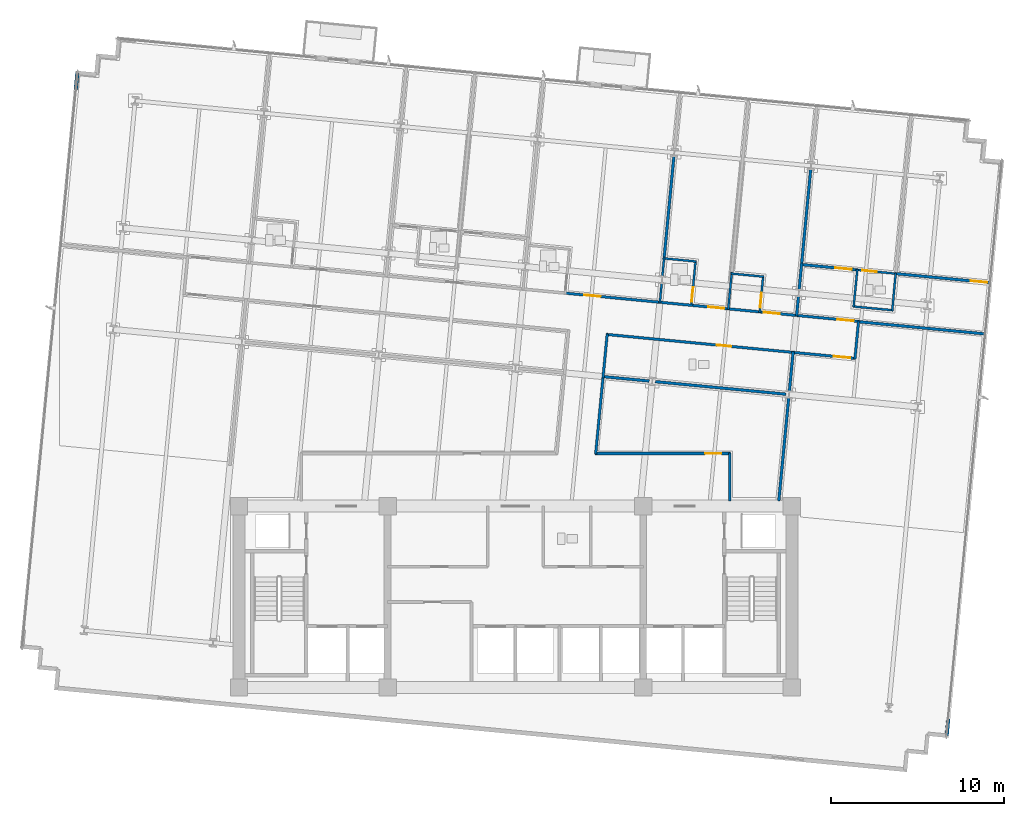
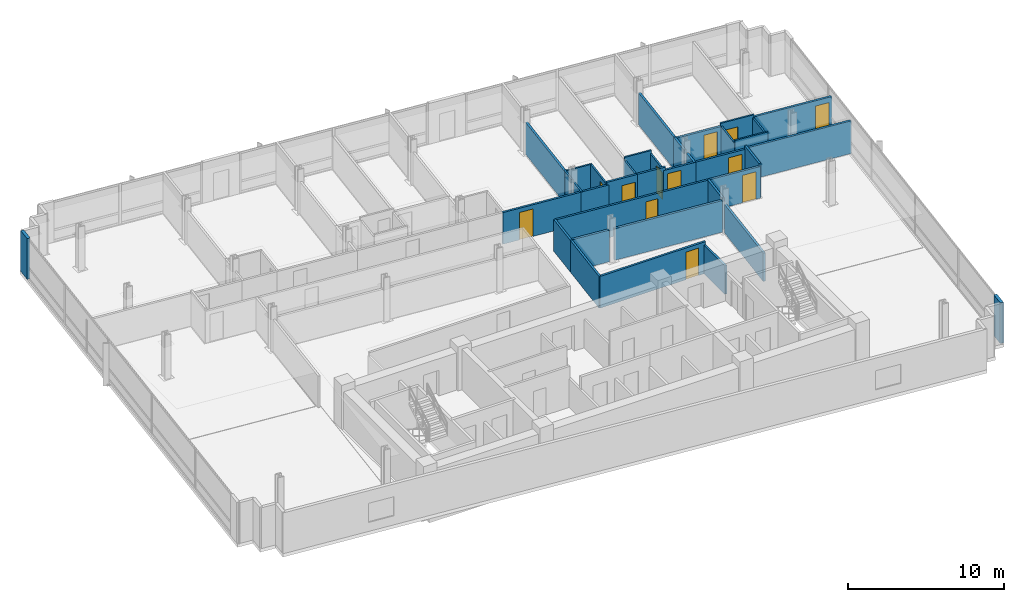
# One storey, part 12 of 17: 37 walls, 12 doors, 12 openings.
"""IFC4 building model written with IfcOpenShell, lengths in metres."""

from ifc_helpers import new_model, si_unit, direction, frame, frame_2d, origin, place, context, subcontext, project, spatial, rectangle, extrude, material, layer, layer_set, type_object, element, fill, save


model = new_model("IFC4")

# Units and contexts
model_context = context("Model", 3, precision=1e-05, world=origin(), true_north=direction((0.0, 1.0)))
body_context = subcontext(model_context, "Body", "Model", "MODEL_VIEW")
ifc_project = project(units=[si_unit("LENGTHUNIT", "METRE"), si_unit("AREAUNIT", "SQUARE_METRE"), si_unit("VOLUMEUNIT", "CUBIC_METRE"), si_unit("PLANEANGLEUNIT", "RADIAN"), si_unit("MASSUNIT", "GRAM", prefix="KILO")], contexts=[model_context])

# Site, building, storey
site_placement = place(None, origin())
site = spatial("IfcSite", under=ifc_project, at=site_placement, CompositionType="ELEMENT")
building_placement = place(site_placement, origin())
building = spatial("IfcBuilding", under=site, at=building_placement, Name="Solmavex Isthmus Hotel", CompositionType="ELEMENT")
storey_placement = place(building_placement, frame((0.0, 0.0, 139.35009765625)))
storey = spatial("IfcBuildingStorey", under=building, at=storey_placement, Name="L37", CompositionType="ELEMENT", Elevation=139.35009765625)

# Walls
ifc_material_1 = material(Name="Precast Concrete C40/50", Category="concrete")
ifc_layer_1 = layer(ifc_material_1, 0.25)
ifc_layer_set_1 = layer_set([ifc_layer_1], Name="Precast Concrete C40/50")
wall_type_1 = type_object("IfcWallType", Name="EW-TWR-250", PredefinedType="STANDARD", material=ifc_layer_set_1)
wall_1_placement = place(storey_placement, frame((-25.46142578125, 21.60498046875, 0.0), z_axis=(0.0, 0.0, 1.0), x_axis=(0.095937974524, 0.995387314086, 0.0)))
element("IfcWall", 1, at=wall_1_placement, inside=storey, type_object=wall_type_1, Name="Serrated Corner Facade Panel L37-07", PredefinedType="STANDARD", context=body_context, shape_type="SweptSolid", body=[
    extrude(rectangle(XDim=0.989990234375, YDim=0.219970703125, at=frame_2d((0.4951171875, 0.0))), origin(), (0.0, 0.0, 1.0), 3.18994140625),
])
wall_2_placement = place(storey_placement, frame((25.0615234375, -14.804931640625, 0.0), z_axis=(0.0, 0.0, 1.0), x_axis=(-0.095914428506, -0.995389583231, 0.0)))
element("IfcWall", 2, at=wall_2_placement, inside=storey, type_object=wall_type_1, Name="Serrated Corner Facade Panel L37-21", PredefinedType="STANDARD", context=body_context, shape_type="SweptSolid", body=[
    extrude(rectangle(XDim=0.990234375, YDim=0.219970703125, at=frame_2d((0.4951171875, 0.0))), origin(), (0.0, 0.0, 1.0), 3.18994140625),
])
ifc_material_2 = material(Name="Gypsum plasterboard lining", Category="gypsum")
ifc_layer_2 = layer(ifc_material_2, 0.159912109375)
ifc_layer_set_2 = layer_set([ifc_layer_2], Name="Gypsum plasterboard lining")
wall_type_2 = type_object("IfcWallType", Name="IW-COMP-160", PredefinedType="PARTITIONING", material=ifc_layer_set_2)
wall_3_placement = place(storey_placement, frame((9.178466796875, 17.791259765625, 0.0), z_axis=(0.0, 0.0, 1.0), x_axis=(-0.095826863488, -0.995398016993, 0.0)))
element("IfcWall", 3, at=wall_3_placement, inside=storey, type_object=wall_type_2, Name="Interior Partition Wall W-L37-P050", PredefinedType="PARTITIONING", context=body_context, shape_type="SweptSolid", body=[
    extrude(rectangle(XDim=6.055908203125, YDim=0.159912109375, at=frame_2d((3.02783203125, 0.0))), origin(), (0.0, 0.0, 1.0), 2.4794921875),
])
wall_4_placement = place(storey_placement, frame((16.389404296875, 9.6708984375, 0.0), z_axis=(0.0, 0.0, 1.0), x_axis=(-0.095811626391, -0.995399483749, 0.0)))
element("IfcWall", 4, at=wall_4_placement, inside=storey, type_object=wall_type_2, Name="Interior Partition Wall W-L37-P060", PredefinedType="PARTITIONING", context=body_context, shape_type="SweptSolid", body=[
    extrude(rectangle(XDim=1.172119140625, YDim=0.159912109375, at=frame_2d((0.5859375, 0.0))), origin(), (0.0, 0.0, 1.0), 2.4794921875),
])
wall_5_placement = place(storey_placement, frame((16.572265625, 11.570068359375, 0.0), z_axis=(0.0, 0.0, 1.0), x_axis=(-0.095867871334, -0.99539406832, 0.0)))
element("IfcWall", 5, at=wall_5_placement, inside=storey, type_object=wall_type_2, Name="Interior Partition Wall W-L37-P061", PredefinedType="PARTITIONING", context=body_context, shape_type="SweptSolid", body=[
    extrude(rectangle(XDim=1.555908203125, YDim=0.159912109375, at=frame_2d((0.77783203125, 0.0))), origin(), (0.0, 0.0, 1.0), 2.4794921875),
])
wall_6_placement = place(storey_placement, frame((17.097900390625, 17.02880859375, 0.0), z_axis=(0.0, 0.0, 1.0), x_axis=(-0.095831010877, -0.995397617716, 0.0)))
element("IfcWall", 6, at=wall_6_placement, inside=storey, type_object=wall_type_2, Name="Interior Partition Wall W-L37-P062", PredefinedType="PARTITIONING", context=body_context, shape_type="SweptSolid", body=[
    extrude(rectangle(XDim=5.64794921875, YDim=0.159912109375, at=frame_2d((2.823974609375, 0.0))), origin(), (0.0, 0.0, 1.0), 2.4794921875),
])

# Wall, opening, door
wall_7_placement = place(storey_placement, frame((16.524658203125, 11.4921875, 0.0), z_axis=(0.0, 0.0, 1.0), x_axis=(0.995395561935, -0.095852361889, 0.0)))
wall_7 = element("IfcWall", 7, at=wall_7_placement, inside=storey, type_object=wall_type_2, Name="Interior Partition Wall W-L37-P064", PredefinedType="PARTITIONING", context=body_context, shape_type="SweptSolid", body=[
    extrude(rectangle(XDim=3.323974609375, YDim=0.159912109375, at=frame_2d((1.662109375, 0.0))), origin(), (0.0, 0.0, 1.0), 2.4794921875),
])
opening_1_placement = place(wall_7_placement, frame((2.00439453125, 0.0, 0.0)))
opening_1 = element("IfcOpeningElement", 8, at=opening_1_placement, cuts=wall_7, Name="Opening ID-C095", PredefinedType="OPENING", context=body_context, shape_type="SweptSolid", body=[
    extrude(rectangle(XDim=0.949951171875, YDim=2.14990234375, at=frame_2d((0.47509765625, 1.074951171875))), frame((0.0, 0.08984375, 0.0), z_axis=(0.0, -1.0, 0.0), x_axis=(1.0, 0.0, 0.0)), (0.0, 0.0, 1.0), 0.179931640625),
])
ifc_material_3 = material(Name="Hardwood timber", Category="wood")
door_type_1 = type_object("IfcDoorType", Name="IDR-FD60-0950", OperationType="NOTDEFINED", PredefinedType="DOOR", material=ifc_material_3)
door_1_placement = place(opening_1_placement, origin())
door_1 = element("IfcDoor", 9, at=door_1_placement, inside=storey, type_object=door_type_1, Name="Diplomatic Hospitality Suite Bedroom Door L37-15", OperationType="SINGLE_SWING_LEFT", OverallHeight=2.14990234375, OverallWidth=0.949951171875, PredefinedType="DOOR", context=body_context, shape_type="SweptSolid", body=[
    extrude(rectangle(XDim=0.949951171875, YDim=2.14990234375, at=frame_2d((0.47509765625, 1.074951171875))), frame((0.0, 0.02490234375, 0.0), z_axis=(0.0, -1.0, 0.0), x_axis=(1.0, 0.0, 0.0)), (0.0, 0.0, 1.0), 0.050048828125),
])
fill(opening_1, door_1)

wall_8_placement = place(storey_placement, frame((21.973388671875, 10.967529296875, 0.0), z_axis=(0.0, 0.0, 1.0), x_axis=(0.99539730528, -0.095834256092, 0.0)))
wall_8 = element("IfcWall", 10, at=wall_8_placement, inside=storey, type_object=wall_type_2, Name="Interior Partition Wall W-L37-P065", PredefinedType="PARTITIONING", context=body_context, shape_type="SweptSolid", body=[
    extrude(rectangle(XDim=5.573974609375, YDim=0.159912109375, at=frame_2d((2.787109375, 0.0))), origin(), (0.0, 0.0, 1.0), 2.557373046875),
])
opening_2_placement = place(wall_8_placement, frame((4.4140625, 0.0, 0.0)))
opening_2 = element("IfcOpeningElement", 11, at=opening_2_placement, cuts=wall_8, Name="Opening ID-C095", PredefinedType="OPENING", context=body_context, shape_type="SweptSolid", body=[
    extrude(rectangle(XDim=0.949951171875, YDim=2.14990234375, at=frame_2d((0.47509765625, 1.074951171875))), frame((0.0, 0.08984375, 0.0), z_axis=(0.0, -1.0, 0.0), x_axis=(1.0, 0.0, 0.0)), (0.0, 0.0, 1.0), 0.179931640625),
])
door_2_placement = place(opening_2_placement, origin())
door_2 = element("IfcDoor", 12, at=door_2_placement, inside=storey, type_object=door_type_1, Name="Diplomatic Hospitality Suite Sitting Lounge Door L37-16", OperationType="SINGLE_SWING_RIGHT", OverallHeight=2.14990234375, OverallWidth=0.949951171875, PredefinedType="DOOR", context=body_context, shape_type="SweptSolid", body=[
    extrude(rectangle(XDim=0.949951171875, YDim=2.14990234375, at=frame_2d((0.47509765625, 1.074951171875))), frame((0.0, 0.02490234375, 0.0), z_axis=(0.0, -1.0, 0.0), x_axis=(1.0, 0.0, 0.0)), (0.0, 0.0, 1.0), 0.050048828125),
])
fill(opening_2, door_2)

# Walls
wall_9_placement = place(storey_placement, frame((27.236328125, 7.468994140625, 0.0), z_axis=(0.0, 0.0, 1.0), x_axis=(-0.995396228159, 0.095845443117, 0.0)))
element("IfcWall", 13, at=wall_9_placement, inside=storey, type_object=wall_type_2, Name="Interior Partition Wall W-L37-P069", PredefinedType="PARTITIONING", context=body_context, shape_type="SweptSolid", body=[
    extrude(rectangle(XDim=7.447998046875, YDim=0.159912109375, at=frame_2d((3.72412109375, 0.0))), origin(), (0.0, 0.0, 1.0), 2.557373046875),
])
wall_10_placement = place(storey_placement, frame((7.745361328125, 4.74462890625, 0.0), z_axis=(0.0, 0.0, 1.0), x_axis=(-0.995392910691, 0.095879890208, 0.0)))
element("IfcWall", 14, at=wall_10_placement, inside=storey, type_object=wall_type_2, Name="Interior Partition Wall W-L37-P072", PredefinedType="PARTITIONING", context=body_context, shape_type="SweptSolid", body=[
    extrude(rectangle(XDim=2.721923828125, YDim=0.159912109375, at=frame_2d((1.36083984375, 0.0))), origin(), (0.0, 0.0, 1.0), 2.4794921875),
])
wall_11_placement = place(storey_placement, frame((15.664794921875, 3.982177734375, 0.0), z_axis=(0.0, 0.0, 1.0), x_axis=(-0.995396667246, 0.095840882902, 0.0)))
element("IfcWall", 15, at=wall_11_placement, inside=storey, type_object=wall_type_2, Name="Interior Partition Wall W-L37-P073", PredefinedType="PARTITIONING", context=body_context, shape_type="SweptSolid", body=[
    extrude(rectangle(XDim=7.603759765625, YDim=0.159912109375, at=frame_2d((3.8017578125, 0.0))), origin(), (0.0, 0.0, 1.0), 2.4794921875),
])
wall_12_placement = place(storey_placement, frame((16.07861328125, 6.44384765625, 0.0), z_axis=(0.0, 0.0, 1.0), x_axis=(-0.095794827695, -0.995401100555, 0.0)))
element("IfcWall", 16, at=wall_12_placement, inside=storey, type_object=wall_type_2, Name="Interior Partition Wall W-L37-P074", PredefinedType="PARTITIONING", context=body_context, shape_type="SweptSolid", body=[
    extrude(rectangle(XDim=2.314208984375, YDim=0.159912109375, at=frame_2d((1.1572265625, 0.0))), origin(), (0.0, 0.0, 1.0), 2.4794921875),
])
wall_13_placement = place(storey_placement, frame((15.8232421875, 3.7900390625, 0.0), z_axis=(0.0, 0.0, 1.0), x_axis=(-0.095865726078, -0.99539427493, 0.0)))
element("IfcWall", 17, at=wall_13_placement, inside=storey, type_object=wall_type_2, Name="Interior Partition Wall W-L37-P079", PredefinedType="PARTITIONING", context=body_context, shape_type="SweptSolid", body=[
    extrude(rectangle(XDim=6.007568359375, YDim=0.159912109375, at=frame_2d((3.00390625, 0.0))), origin(), (0.0, 0.0, 1.0), 2.224853515625),
])

# Wall, opening, door
ifc_layer_3 = layer(ifc_material_2, 0.14990234375)
ifc_layer_set_3 = layer_set([ifc_layer_3], Name="Gypsum plasterboard lining")
wall_type_3 = type_object("IfcWallType", Name="IW-CORR-150", PredefinedType="PARTITIONING", material=ifc_layer_set_3)
wall_14_placement = place(storey_placement, frame((2.79931640625, 9.84228515625, 0.0), z_axis=(0.0, 0.0, 1.0), x_axis=(0.995395844771, -0.095849424686, 0.0)))
wall_14 = element("IfcWall", 18, at=wall_14_placement, inside=storey, type_object=wall_type_3, Name="Interior Partition Wall W-L37-P005", PredefinedType="PARTITIONING", context=body_context, shape_type="SweptSolid", body=[
    extrude(rectangle(XDim=5.669921875, YDim=0.14990234375, at=frame_2d((2.8349609375, 0.0))), origin(), (0.0, 0.0, 1.0), 2.4794921875),
])
opening_3_placement = place(wall_14_placement, frame((1.18603515625, 0.0, 0.0)))
opening_3 = element("IfcOpeningElement", 19, at=opening_3_placement, cuts=wall_14, Name="Opening ID-C095", PredefinedType="OPENING", context=body_context, shape_type="SweptSolid", body=[
    extrude(rectangle(XDim=0.949951171875, YDim=2.14990234375, at=frame_2d((0.47509765625, 1.074951171875))), frame((0.0, 0.0849609375, 0.0), z_axis=(0.0, -1.0, 0.0), x_axis=(1.0, 0.0, 0.0)), (0.0, 0.0, 1.0), 0.169921875),
])
door_3_placement = place(opening_3_placement, frame((0.949951171875, 0.0, 0.0), z_axis=(0.0, 0.0, 1.0), x_axis=(-1.0, 0.0, 0.0)))
door_3 = element("IfcDoor", 20, at=door_3_placement, inside=storey, type_object=door_type_1, Name="Diplomatic Suite Door L37-08", OperationType="SINGLE_SWING_RIGHT", OverallHeight=2.14990234375, OverallWidth=0.949951171875, PredefinedType="DOOR", context=body_context, shape_type="SweptSolid", body=[
    extrude(rectangle(XDim=0.949951171875, YDim=2.14990234375, at=frame_2d((0.47509765625, 1.074951171875))), frame((0.0, 0.02490234375, 0.0), z_axis=(0.0, -1.0, 0.0), x_axis=(1.0, 0.0, 0.0)), (0.0, 0.0, 1.0), 0.050048828125),
])
fill(opening_3, door_3)

wall_15_placement = place(storey_placement, frame((10.101318359375, 9.13916015625, 0.0), z_axis=(0.0, 0.0, 1.0), x_axis=(0.995393345625, -0.095875374756, 0.0)))
wall_15 = element("IfcWall", 21, at=wall_15_placement, inside=storey, type_object=wall_type_3, Name="Interior Partition Wall W-L37-P007", PredefinedType="PARTITIONING", context=body_context, shape_type="SweptSolid", body=[
    extrude(rectangle(XDim=2.312255859375, YDim=0.14990234375, at=frame_2d((1.15625, 0.0))), origin(), (0.0, 0.0, 1.0), 2.718017578125),
])
opening_4_placement = place(wall_15_placement, frame((1.05615234375, 0.0, 0.0)))
opening_4 = element("IfcOpeningElement", 22, at=opening_4_placement, cuts=wall_15, Name="Opening ID-C095", PredefinedType="OPENING", context=body_context, shape_type="SweptSolid", body=[
    extrude(rectangle(XDim=0.949951171875, YDim=2.14990234375, at=frame_2d((0.47509765625, 1.074951171875))), frame((0.0, 0.0849609375, 0.0), z_axis=(0.0, -1.0, 0.0), x_axis=(1.0, 0.0, 0.0)), (0.0, 0.0, 1.0), 0.169921875),
])
door_4_placement = place(opening_4_placement, frame((0.949951171875, 0.0, 0.0), z_axis=(0.0, 0.0, 1.0), x_axis=(-1.0, 0.0, 0.0)))
door_4 = element("IfcDoor", 23, at=door_4_placement, inside=storey, type_object=door_type_1, Name="Junior Suite Door L37-10", OperationType="SINGLE_SWING_RIGHT", OverallHeight=2.14990234375, OverallWidth=0.949951171875, PredefinedType="DOOR", context=body_context, shape_type="SweptSolid", body=[
    extrude(rectangle(XDim=0.949951171875, YDim=2.14990234375, at=frame_2d((0.47509765625, 1.074951171875))), frame((0.0, 0.02490234375, 0.0), z_axis=(0.0, -1.0, 0.0), x_axis=(1.0, 0.0, 0.0)), (0.0, 0.0, 1.0), 0.050048828125),
])
fill(opening_4, door_4)

# Wall
wall_16_placement = place(storey_placement, frame((8.280029296875, 9.314453125, 0.0), z_axis=(0.0, 0.0, 1.0), x_axis=(0.995393086543, -0.095878064554, 0.0)))
element("IfcWall", 24, at=wall_16_placement, inside=storey, type_object=wall_type_3, Name="Interior Partition Wall W-L37-P008", PredefinedType="PARTITIONING", context=body_context, shape_type="SweptSolid", body=[
    extrude(rectangle(XDim=1.993896484375, YDim=0.14990234375, at=frame_2d((0.9970703125, 0.0))), origin(), (0.0, 0.0, 1.0), 2.4794921875),
])

# Wall, opening, door
wall_17_placement = place(storey_placement, frame((14.06103515625, 8.7578125, 0.0), z_axis=(0.0, 0.0, 1.0), x_axis=(0.995393345625, -0.095875374756, 0.0)))
wall_17 = element("IfcWall", 25, at=wall_17_placement, inside=storey, type_object=wall_type_3, Name="Interior Partition Wall W-L37-P009", PredefinedType="PARTITIONING", context=body_context, shape_type="SweptSolid", body=[
    extrude(rectangle(XDim=2.312255859375, YDim=0.14990234375, at=frame_2d((1.15625, 0.0))), origin(), (0.0, 0.0, 1.0), 2.4794921875),
])
opening_5_placement = place(wall_17_placement, frame((0.30615234375, 0.0, 0.0)))
opening_5 = element("IfcOpeningElement", 26, at=opening_5_placement, cuts=wall_17, Name="Opening ID-C095", PredefinedType="OPENING", context=body_context, shape_type="SweptSolid", body=[
    extrude(rectangle(XDim=0.949951171875, YDim=2.14990234375, at=frame_2d((0.47509765625, 1.074951171875))), frame((0.0, 0.0849609375, 0.0), z_axis=(0.0, -1.0, 0.0), x_axis=(1.0, 0.0, 0.0)), (0.0, 0.0, 1.0), 0.169921875),
])
door_5_placement = place(opening_5_placement, frame((0.949951171875, 0.0, 0.0), z_axis=(0.0, 0.0, 1.0), x_axis=(-1.0, 0.0, 0.0)))
door_5 = element("IfcDoor", 27, at=door_5_placement, inside=storey, type_object=door_type_1, Name="Deluxe Twin Room Door L37-12", OperationType="SINGLE_SWING_RIGHT", OverallHeight=2.14990234375, OverallWidth=0.949951171875, PredefinedType="DOOR", context=body_context, shape_type="SweptSolid", body=[
    extrude(rectangle(XDim=0.949951171875, YDim=2.14990234375, at=frame_2d((0.47509765625, 1.074951171875))), frame((0.0, 0.02490234375, 0.0), z_axis=(0.0, -1.0, 0.0), x_axis=(1.0, 0.0, 0.0)), (0.0, 0.0, 1.0), 0.050048828125),
])
fill(opening_5, door_5)

# Wall
wall_18_placement = place(storey_placement, frame((12.239501953125, 8.93310546875, 0.0), z_axis=(0.0, 0.0, 1.0), x_axis=(0.995405888026, -0.095745068196, 0.0)))
element("IfcWall", 28, at=wall_18_placement, inside=storey, type_object=wall_type_3, Name="Interior Partition Wall W-L37-P010", PredefinedType="PARTITIONING", context=body_context, shape_type="SweptSolid", body=[
    extrude(rectangle(XDim=1.994140625, YDim=0.14990234375, at=frame_2d((0.9970703125, 0.0))), origin(), (0.0, 0.0, 1.0), 2.718017578125),
])

# Wall, opening, door
wall_19_placement = place(storey_placement, frame((16.19921875, 8.552001953125, 0.0), z_axis=(0.0, 0.0, 1.0), x_axis=(0.995391104887, -0.095898635608, 0.0)))
wall_19 = element("IfcWall", 29, at=wall_19_placement, inside=storey, type_object=wall_type_3, Name="Interior Partition Wall W-L37-P011", PredefinedType="PARTITIONING", context=body_context, shape_type="SweptSolid", body=[
    extrude(rectangle(XDim=3.721923828125, YDim=0.14990234375, at=frame_2d((1.86083984375, 0.0))), origin(), (0.0, 0.0, 1.0), 2.4794921875),
])
opening_6_placement = place(wall_19_placement, frame((2.456787109375, 0.0, 0.0)))
opening_6 = element("IfcOpeningElement", 30, at=opening_6_placement, cuts=wall_19, Name="Opening ID-C095", PredefinedType="OPENING", context=body_context, shape_type="SweptSolid", body=[
    extrude(rectangle(XDim=0.949951171875, YDim=2.14990234375, at=frame_2d((0.47509765625, 1.074951171875))), frame((0.0, 0.0849609375, 0.0), z_axis=(0.0, -1.0, 0.0), x_axis=(1.0, 0.0, 0.0)), (0.0, 0.0, 1.0), 0.169921875),
])
door_6_placement = place(opening_6_placement, frame((0.949951171875, 0.0, 0.0), z_axis=(0.0, 0.0, 1.0), x_axis=(-1.0, 0.0, 0.0)))
door_6 = element("IfcDoor", 31, at=door_6_placement, inside=storey, type_object=door_type_1, Name="Diplomatic Hospitality Suite Reception Foyer Door L37-14", OperationType="SINGLE_SWING_RIGHT", OverallHeight=2.14990234375, OverallWidth=0.949951171875, PredefinedType="DOOR", context=body_context, shape_type="SweptSolid", body=[
    extrude(rectangle(XDim=0.949951171875, YDim=2.14990234375, at=frame_2d((0.47509765625, 1.074951171875))), frame((0.0, 0.02490234375, 0.0), z_axis=(0.0, -1.0, 0.0), x_axis=(1.0, 0.0, 0.0)), (0.0, 0.0, 1.0), 0.050048828125),
])
fill(opening_6, door_6)

wall_20_placement = place(storey_placement, frame((16.156494140625, 6.39599609375, 0.0), z_axis=(0.0, 0.0, 1.0), x_axis=(-0.99539478422, 0.095860437863, 0.0)))
wall_20 = element("IfcWall", 32, at=wall_20_placement, inside=storey, type_object=wall_type_3, Name="Interior Partition Wall W-L37-P012", PredefinedType="PARTITIONING", context=body_context, shape_type="SweptSolid", body=[
    extrude(rectangle(XDim=10.93603515625, YDim=0.14990234375, at=frame_2d((5.468017578125, 0.0))), origin(), (0.0, 0.0, 1.0), 2.4794921875),
])
opening_7_placement = place(wall_20_placement, frame((3.675048828125, 0.0, 0.0)))
opening_7 = element("IfcOpeningElement", 33, at=opening_7_placement, cuts=wall_20, Name="Opening ID-R085", PredefinedType="OPENING", context=body_context, shape_type="SweptSolid", body=[
    extrude(rectangle(XDim=0.85009765625, YDim=2.050048828125, at=frame_2d((0.425048828125, 1.02490234375))), frame((0.0, 0.0849609375, 0.0), z_axis=(0.0, -1.0, 0.0), x_axis=(1.0, 0.0, 0.0)), (0.0, 0.0, 1.0), 0.169921875),
])
ifc_material_4 = material(Name="Steel ASTM A500 Grade C", Category="steel")
door_type_2 = type_object("IfcDoorType", Name="IDR-FD60-0850", OperationType="NOTDEFINED", PredefinedType="DOOR", material=ifc_material_4)
door_7_placement = place(opening_7_placement, frame((0.85009765625, 0.0, 0.0), z_axis=(0.0, 0.0, 1.0), x_axis=(-1.0, 0.0, 0.0)))
door_7 = element("IfcDoor", 34, at=door_7_placement, inside=storey, type_object=door_type_2, Name="Accessible Public Restroom WC Door L37-18", OperationType="SINGLE_SWING_RIGHT", OverallHeight=2.050048828125, OverallWidth=0.85009765625, PredefinedType="DOOR", context=body_context, shape_type="SweptSolid", body=[
    extrude(rectangle(XDim=0.85009765625, YDim=2.050048828125, at=frame_2d((0.425048828125, 1.02490234375))), frame((0.0, 0.02490234375, 0.0), z_axis=(0.0, -1.0, 0.0), x_axis=(1.0, 0.0, 0.0)), (0.0, 0.0, 1.0), 0.050048828125),
])
fill(opening_7, door_7)

# Walls
wall_21_placement = place(storey_placement, frame((5.314453125, 7.480224609375, 0.0), z_axis=(0.0, 0.0, 1.0), x_axis=(-0.09587519517, -0.995393362923, 0.0)))
element("IfcWall", 35, at=wall_21_placement, inside=storey, type_object=wall_type_3, Name="Interior Partition Wall W-L37-P013", PredefinedType="PARTITIONING", context=body_context, shape_type="SweptSolid", body=[
    extrude(rectangle(XDim=2.572021484375, YDim=0.14990234375, at=frame_2d((1.2861328125, 0.0))), origin(), (0.0, 0.0, 1.0), 2.4794921875),
])
wall_22_placement = place(storey_placement, frame((5.083740234375, 5.083251953125, 0.0), z_axis=(0.0, 0.0, 1.0), x_axis=(-0.095867331855, -0.995394120277, 0.0)))
element("IfcWall", 36, at=wall_22_placement, inside=storey, type_object=wall_type_3, Name="Interior Partition Wall W-L37-P016", PredefinedType="PARTITIONING", context=body_context, shape_type="SweptSolid", body=[
    extrude(rectangle(XDim=4.59423828125, YDim=0.14990234375, at=frame_2d((2.297119140625, 0.0))), origin(), (0.0, 0.0, 1.0), 2.4794921875),
])

# Wall, opening, door
wall_23_placement = place(storey_placement, frame((4.607177734375, 0.550048828125, 0.0), z_axis=(0.0, 0.0, 1.0), x_axis=(1.0, 0.0, 0.0)))
wall_23 = element("IfcWall", 37, at=wall_23_placement, inside=storey, type_object=wall_type_3, Name="Interior Partition Wall W-L37-P017", PredefinedType="PARTITIONING", context=body_context, shape_type="SweptSolid", body=[
    extrude(rectangle(XDim=7.832763671875, YDim=0.14990234375, at=frame_2d((3.91650390625, 0.0))), origin(), (0.0, 0.0, 1.0), 2.4794921875),
])
opening_8_placement = place(wall_23_placement, frame((6.3720703125, 0.0, 0.0)))
opening_8 = element("IfcOpeningElement", 38, at=opening_8_placement, cuts=wall_23, Name="Opening ID-C095", PredefinedType="OPENING", context=body_context, shape_type="SweptSolid", body=[
    extrude(rectangle(XDim=0.949951171875, YDim=2.14990234375, at=frame_2d((0.47509765625, 1.074951171875))), frame((0.0, 0.0849609375, 0.0), z_axis=(0.0, -1.0, 0.0), x_axis=(1.0, 0.0, 0.0)), (0.0, 0.0, 1.0), 0.169921875),
])
door_8_placement = place(opening_8_placement, origin())
door_8 = element("IfcDoor", 39, at=door_8_placement, inside=storey, type_object=door_type_1, Name="Tea Ceremony Lounge Door L37-20", OperationType="SINGLE_SWING_RIGHT", OverallHeight=2.14990234375, OverallWidth=0.949951171875, PredefinedType="DOOR", context=body_context, shape_type="SweptSolid", body=[
    extrude(rectangle(XDim=0.949951171875, YDim=2.14990234375, at=frame_2d((0.47509765625, 1.074951171875))), frame((0.0, 0.02490234375, 0.0), z_axis=(0.0, -1.0, 0.0), x_axis=(1.0, 0.0, 0.0)), (0.0, 0.0, 1.0), 0.050048828125),
])
fill(opening_8, door_8)

# Walls
wall_24_placement = place(storey_placement, frame((12.39990234375, 0.590087890625, 0.0), z_axis=(0.0, 0.0, 1.0), x_axis=(0.0, -1.0, 0.0)))
element("IfcWall", 40, at=wall_24_placement, inside=storey, type_object=wall_type_3, Name="Interior Partition Wall W-L37-P018", PredefinedType="PARTITIONING", context=body_context, shape_type="SweptSolid", body=[
    extrude(rectangle(XDim=2.780029296875, YDim=0.14990234375, at=frame_2d((1.39013671875, 0.0))), origin(), (0.0, 0.0, 1.0), 2.224853515625),
])
wall_25_placement = place(storey_placement, frame((19.8662109375, 8.218994140625, 0.0), z_axis=(0.0, 0.0, 1.0), x_axis=(-0.095773447772, -0.995403157872, 0.0)))
element("IfcWall", 41, at=wall_25_placement, inside=storey, type_object=wall_type_3, Name="Interior Partition Wall W-L37-P019", PredefinedType="PARTITIONING", context=body_context, shape_type="SweptSolid", body=[
    extrude(rectangle(XDim=2.210205078125, YDim=0.14990234375, at=frame_2d((1.10498046875, 0.0))), origin(), (0.0, 0.0, 1.0), 2.718017578125),
])

# Wall, opening, door
wall_26_placement = place(storey_placement, frame((19.697998046875, 6.05517578125, 0.0), z_axis=(0.0, 0.0, 1.0), x_axis=(-0.995397364202, 0.095833644092, 0.0)))
wall_26 = element("IfcWall", 42, at=wall_26_placement, inside=storey, type_object=wall_type_3, Name="Interior Partition Wall W-L37-P020", PredefinedType="PARTITIONING", context=body_context, shape_type="SweptSolid", body=[
    extrude(rectangle(XDim=3.721923828125, YDim=0.14990234375, at=frame_2d((1.86083984375, 0.0))), origin(), (0.0, 0.0, 1.0), 2.4794921875),
])
opening_9_placement = place(wall_26_placement, frame((0.315185546875, 0.0, 0.0)))
opening_9 = element("IfcOpeningElement", 43, at=opening_9_placement, cuts=wall_26, Name="Opening ID-C095", PredefinedType="OPENING", context=body_context, shape_type="SweptSolid", body=[
    extrude(rectangle(XDim=0.949951171875, YDim=2.14990234375, at=frame_2d((0.47509765625, 1.074951171875))), frame((0.0, 0.0849609375, 0.0), z_axis=(0.0, -1.0, 0.0), x_axis=(1.0, 0.0, 0.0)), (0.0, 0.0, 1.0), 0.169921875),
])
door_9_placement = place(opening_9_placement, frame((0.949951171875, 0.0, 0.0), z_axis=(0.0, 0.0, 1.0), x_axis=(-1.0, 0.0, 0.0)))
door_9 = element("IfcDoor", 44, at=door_9_placement, inside=storey, type_object=door_type_1, Name="Executive Hospitality Lounge Door L37-21", OperationType="SINGLE_SWING_LEFT", OverallHeight=2.14990234375, OverallWidth=0.949951171875, PredefinedType="DOOR", context=body_context, shape_type="SweptSolid", body=[
    extrude(rectangle(XDim=0.949951171875, YDim=2.14990234375, at=frame_2d((0.47509765625, 1.074951171875))), frame((0.0, 0.02490234375, 0.0), z_axis=(0.0, -1.0, 0.0), x_axis=(1.0, 0.0, 0.0)), (0.0, 0.0, 1.0), 0.050048828125),
])
fill(opening_9, door_9)

# Walls
ifc_layer_4 = layer(ifc_material_2, 0.1201171875)
ifc_layer_set_4 = layer_set([ifc_layer_4], Name="Gypsum plasterboard lining")
wall_type_4 = type_object("IfcWallType", Name="IW-PART-120", PredefinedType="PARTITIONING", material=ifc_layer_set_4)
wall_27_placement = place(storey_placement, frame((8.469970703125, 10.433349609375, 0.0), z_axis=(0.0, 0.0, 1.0), x_axis=(-0.095831494917, -0.995397571115, 0.0)))
element("IfcWall", 45, at=wall_27_placement, inside=storey, type_object=wall_type_4, Name="Interior Partition Wall W-L37-P052", PredefinedType="PARTITIONING", context=body_context, shape_type="SweptSolid", body=[
    extrude(rectangle(XDim=1.171875, YDim=0.1201171875, at=frame_2d((0.5859375, 0.0))), origin(), (0.0, 0.0, 1.0), 2.4794921875),
])
wall_28_placement = place(storey_placement, frame((8.61376953125, 11.926513671875, 0.0), z_axis=(0.0, 0.0, 1.0), x_axis=(-0.09590284245, -0.99539069958, 0.0)))
element("IfcWall", 46, at=wall_28_placement, inside=storey, type_object=wall_type_4, Name="Interior Partition Wall W-L37-P053", PredefinedType="PARTITIONING", context=body_context, shape_type="SweptSolid", body=[
    extrude(rectangle(XDim=1.148193359375, YDim=0.1201171875, at=frame_2d((0.57421875, 0.0))), origin(), (0.0, 0.0, 1.0), 2.4794921875),
])

# Wall, opening, door
wall_29_placement = place(storey_placement, frame((10.17919921875, 9.09130859375, 0.0), z_axis=(0.0, 0.0, 1.0), x_axis=(0.095799078022, 0.995400691506, 0.0)))
wall_29 = element("IfcWall", 47, at=wall_29_placement, inside=storey, type_object=wall_type_4, Name="Interior Partition Wall W-L37-P054", PredefinedType="PARTITIONING", context=body_context, shape_type="SweptSolid", body=[
    extrude(rectangle(XDim=2.630126953125, YDim=0.1201171875, at=frame_2d((1.31494140625, 0.0))), origin(), (0.0, 0.0, 1.0), 2.4794921875),
])
opening_10_placement = place(wall_29_placement, frame((0.247314453125, 0.0, 0.0)))
opening_10 = element("IfcOpeningElement", 48, at=opening_10_placement, cuts=wall_29, Name="Opening ID-U085", PredefinedType="OPENING", context=body_context, shape_type="SweptSolid", body=[
    extrude(rectangle(XDim=0.85009765625, YDim=2.10009765625, at=frame_2d((0.425048828125, 1.050048828125))), frame((0.0, 0.070068359375, 0.0), z_axis=(0.0, -1.0, 0.0), x_axis=(1.0, 0.0, 0.0)), (0.0, 0.0, 1.0), 0.14013671875),
])
door_type_3 = type_object("IfcDoorType", Name="IDR-UNR-0850", OperationType="NOTDEFINED", PredefinedType="DOOR", material=ifc_material_3)
door_10_placement = place(opening_10_placement, frame((0.85009765625, 0.0, 0.0), z_axis=(0.0, 0.0, 1.0), x_axis=(-1.0, 0.0, 0.0)))
door_10 = element("IfcDoor", 49, at=door_10_placement, inside=storey, type_object=door_type_3, Name="En-suite Bathroom Door L37-11", OperationType="SINGLE_SWING_LEFT", OverallHeight=2.10009765625, OverallWidth=0.85009765625, PredefinedType="DOOR", context=body_context, shape_type="SweptSolid", body=[
    extrude(rectangle(XDim=0.85009765625, YDim=2.10009765625, at=frame_2d((0.425048828125, 1.050048828125))), frame((0.0, 0.02490234375, 0.0), z_axis=(0.0, -1.0, 0.0), x_axis=(1.0, 0.0, 0.0)), (0.0, 0.0, 1.0), 0.050048828125),
])
fill(opening_10, door_10)

# Walls
wall_30_placement = place(storey_placement, frame((10.46728515625, 11.665771484375, 0.0), z_axis=(0.0, 0.0, 1.0), x_axis=(-0.995405983929, 0.095744071139, 0.0)))
element("IfcWall", 50, at=wall_30_placement, inside=storey, type_object=wall_type_4, Name="Interior Partition Wall W-L37-P055", PredefinedType="PARTITIONING", context=body_context, shape_type="SweptSolid", body=[
    extrude(rectangle(XDim=1.909912109375, YDim=0.1201171875, at=frame_2d((0.955078125, 0.0))), origin(), (0.0, 0.0, 1.0), 2.4794921875),
])
wall_31_placement = place(storey_placement, frame((12.525634765625, 11.047607421875, 0.0), z_axis=(0.0, 0.0, 1.0), x_axis=(-0.095875173929, -0.995393364969, 0.0)))
element("IfcWall", 51, at=wall_31_placement, inside=storey, type_object=wall_type_4, Name="Interior Partition Wall W-L37-P057", PredefinedType="PARTITIONING", context=body_context, shape_type="SweptSolid", body=[
    extrude(rectangle(XDim=2.172119140625, YDim=0.1201171875, at=frame_2d((1.0859375, 0.0))), origin(), (0.0, 0.0, 1.0), 2.4794921875),
])

# Wall, opening, door
wall_32_placement = place(storey_placement, frame((14.138916015625, 8.710205078125, 0.0), z_axis=(0.0, 0.0, 1.0), x_axis=(0.095825980341, 0.995398102013, 0.0)))
wall_32 = element("IfcWall", 52, at=wall_32_placement, inside=storey, type_object=wall_type_4, Name="Interior Partition Wall W-L37-P058", PredefinedType="PARTITIONING", context=body_context, shape_type="SweptSolid", body=[
    extrude(rectangle(XDim=2.1298828125, YDim=0.1201171875, at=frame_2d((1.06494140625, 0.0))), origin(), (0.0, 0.0, 1.0), 2.4794921875),
])
opening_11_placement = place(wall_32_placement, frame((0.295654296875, 0.0, 0.0)))
opening_11 = element("IfcOpeningElement", 53, at=opening_11_placement, cuts=wall_32, Name="Opening ID-U085", PredefinedType="OPENING", context=body_context, shape_type="SweptSolid", body=[
    extrude(rectangle(XDim=0.85009765625, YDim=2.10009765625, at=frame_2d((0.425048828125, 1.050048828125))), frame((0.0, 0.070068359375, 0.0), z_axis=(0.0, -1.0, 0.0), x_axis=(1.0, 0.0, 0.0)), (0.0, 0.0, 1.0), 0.14013671875),
])
door_11_placement = place(opening_11_placement, origin())
door_11 = element("IfcDoor", 54, at=door_11_placement, inside=storey, type_object=door_type_3, Name="En-suite Bathroom Door L37-13", OperationType="SINGLE_SWING_LEFT", OverallHeight=2.10009765625, OverallWidth=0.85009765625, PredefinedType="DOOR", context=body_context, shape_type="SweptSolid", body=[
    extrude(rectangle(XDim=0.85009765625, YDim=2.10009765625, at=frame_2d((0.425048828125, 1.050048828125))), frame((0.0, 0.02490234375, 0.0), z_axis=(0.0, -1.0, 0.0), x_axis=(1.0, 0.0, 0.0)), (0.0, 0.0, 1.0), 0.050048828125),
])
fill(opening_11, door_11)

# Walls
wall_33_placement = place(storey_placement, frame((14.37890625, 10.78662109375, 0.0), z_axis=(0.0, 0.0, 1.0), x_axis=(-0.995393793358, 0.095870726213, 0.0)))
element("IfcWall", 55, at=wall_33_placement, inside=storey, type_object=wall_type_4, Name="Interior Partition Wall W-L37-P059", PredefinedType="PARTITIONING", context=body_context, shape_type="SweptSolid", body=[
    extrude(rectangle(XDim=1.909912109375, YDim=0.1201171875, at=frame_2d((0.955078125, 0.0))), origin(), (0.0, 0.0, 1.0), 2.718017578125),
])
wall_34_placement = place(storey_placement, frame((19.797607421875, 11.21728515625, 0.0), z_axis=(0.0, 0.0, 1.0), x_axis=(-0.100620321887, -0.994924897077, 0.0)))
element("IfcWall", 56, at=wall_34_placement, inside=storey, type_object=wall_type_4, Name="Interior Partition Wall W-L37-P066", PredefinedType="PARTITIONING", context=body_context, shape_type="SweptSolid", body=[
    extrude(rectangle(XDim=2.2080078125, YDim=0.1201171875, at=frame_2d((1.10400390625, 0.0))), origin(), (0.0, 0.0, 1.0), 2.4794921875),
])
wall_35_placement = place(storey_placement, frame((19.539794921875, 9.064208984375, 0.0), z_axis=(0.0, 0.0, 1.0), x_axis=(0.995393658532, -0.095872126059, 0.0)))
element("IfcWall", 57, at=wall_35_placement, inside=storey, type_object=wall_type_4, Name="Interior Partition Wall W-L37-P067", PredefinedType="PARTITIONING", context=body_context, shape_type="SweptSolid", body=[
    extrude(rectangle(XDim=2.330078125, YDim=0.1201171875, at=frame_2d((1.1650390625, 0.0))), origin(), (0.0, 0.0, 1.0), 2.718017578125),
])
wall_36_placement = place(storey_placement, frame((21.815673828125, 8.8046875, 0.0), z_axis=(0.0, 0.0, 1.0), x_axis=(0.09110395288, 0.995841387857, 0.0)))
element("IfcWall", 58, at=wall_36_placement, inside=storey, type_object=wall_type_4, Name="Interior Partition Wall W-L37-P068", PredefinedType="PARTITIONING", context=body_context, shape_type="SweptSolid", body=[
    extrude(rectangle(XDim=2.208251953125, YDim=0.1201171875, at=frame_2d((1.10400390625, 0.0))), origin(), (0.0, 0.0, 1.0), 2.4794921875),
])

# Wall, opening, door
wall_37_placement = place(storey_placement, frame((22.06298828125, 10.958984375, 0.0), z_axis=(0.0, 0.0, 1.0), x_axis=(-0.995398273854, 0.095824195322, 0.0)))
wall_37 = element("IfcWall", 59, at=wall_37_placement, inside=storey, type_object=wall_type_4, Name="Interior Partition Wall W-L37-P071", PredefinedType="PARTITIONING", context=body_context, shape_type="SweptSolid", body=[
    extrude(rectangle(XDim=2.3720703125, YDim=0.1201171875, at=frame_2d((1.18603515625, 0.0))), origin(), (0.0, 0.0, 1.0), 2.718017578125),
])
opening_12_placement = place(wall_37_placement, frame((1.14599609375, 0.0, 0.0)))
opening_12 = element("IfcOpeningElement", 60, at=opening_12_placement, cuts=wall_37, Name="Opening ID-U085", PredefinedType="OPENING", context=body_context, shape_type="SweptSolid", body=[
    extrude(rectangle(XDim=0.85009765625, YDim=2.10009765625, at=frame_2d((0.425048828125, 1.050048828125))), frame((0.0, 0.070068359375, 0.0), z_axis=(0.0, -1.0, 0.0), x_axis=(1.0, 0.0, 0.0)), (0.0, 0.0, 1.0), 0.14013671875),
])
door_12_placement = place(opening_12_placement, frame((0.85009765625, 0.0, 0.0), z_axis=(0.0, 0.0, 1.0), x_axis=(-1.0, 0.0, 0.0)))
door_12 = element("IfcDoor", 61, at=door_12_placement, inside=storey, type_object=door_type_3, Name="En-suite Bathroom Door L37-17", OperationType="SINGLE_SWING_LEFT", OverallHeight=2.10009765625, OverallWidth=0.85009765625, PredefinedType="DOOR", context=body_context, shape_type="SweptSolid", body=[
    extrude(rectangle(XDim=0.85009765625, YDim=2.10009765625, at=frame_2d((0.425048828125, 1.050048828125))), frame((0.0, 0.02490234375, 0.0), z_axis=(0.0, -1.0, 0.0), x_axis=(1.0, 0.0, 0.0)), (0.0, 0.0, 1.0), 0.050048828125),
])
fill(opening_12, door_12)

save(model, "model.ifc")
